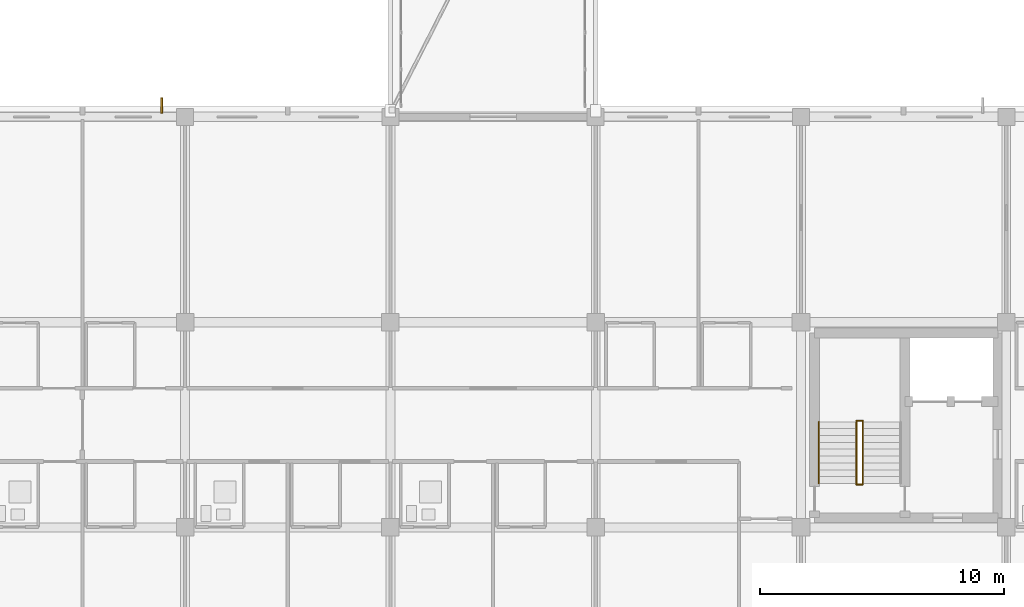
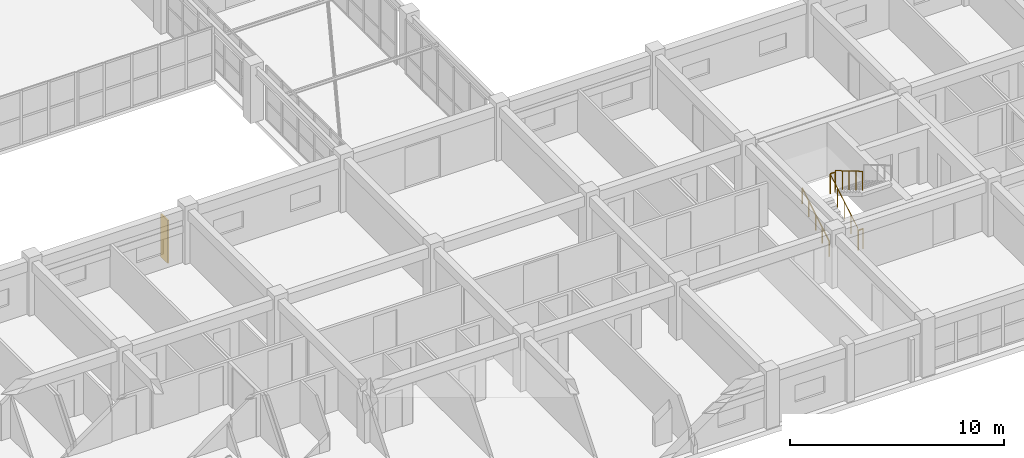
# One storey, part 139 of 148: 5 railings, 1 shading device.
"""IFC4 building model written with IfcOpenShell, lengths in metres."""

from ifc_helpers import new_model, si_unit, direction, frame, origin, origin_2d, place, context, subcontext, project, spatial, rectangle, circle, extrude, material, type_object, element, save


model = new_model("IFC4")

# Units and contexts
model_context = context("Model", 3, precision=1e-05, world=origin(), true_north=direction((0.0, 1.0)))
body_context = subcontext(model_context, "Body", "Model", "MODEL_VIEW")
ifc_project = project(units=[si_unit("LENGTHUNIT", "METRE"), si_unit("AREAUNIT", "SQUARE_METRE"), si_unit("VOLUMEUNIT", "CUBIC_METRE"), si_unit("PLANEANGLEUNIT", "RADIAN"), si_unit("MASSUNIT", "GRAM", prefix="KILO")], contexts=[model_context])

# Site, building, storey
site_placement = place(None, origin())
site = spatial("IfcSite", under=ifc_project, at=site_placement, CompositionType="ELEMENT")
building_placement = place(site_placement, origin())
building = spatial("IfcBuilding", under=site, at=building_placement, Name="Trelvath General Hospital", CompositionType="ELEMENT")
storey_placement = place(building_placement, frame((0.0, 0.0, 12.89990234375)))
storey = spatial("IfcBuildingStorey", under=building, at=storey_placement, Name="L03", CompositionType="ELEMENT", Elevation=12.89990234375)

# Railings
ifc_material_1 = material(Name="Architectural painted steel", Category="steel")
railing_type_1 = type_object("IfcRailingType", Name="Guardrail Terrace1150", PredefinedType="GUARDRAIL", material=ifc_material_1)
railing_1_placement = place(storey_placement, frame((94.669921875, 10.159912109375, 0.0)))
element("IfcRailing", 1, at=railing_1_placement, inside=storey, type_object=railing_type_1, Name="Stair Well Edge Guard C5 L03 174", PredefinedType="GUARDRAIL", context=body_context, shape_type="SweptSolid", body=[
    extrude(circle(Radius=0.02392578125, at=origin_2d()), frame((0.0, 0.0, 1.1259765625), z_axis=(1.0, 0.0, 0.0), x_axis=(0.0, 1.0, 0.0)), (0.0, 0.0, 1.0), 0.260009765625),
    extrude(circle(Radius=0.02099609375, at=origin_2d()), origin(), (0.0, 0.0, 1.0), 1.099853515625),
    extrude(circle(Radius=0.02099609375, at=origin_2d()), frame((0.260009765625, 0.0, 0.0)), (0.0, 0.0, 1.0), 1.099853515625),
])
railing_2_placement = place(storey_placement, frame((94.929931640625, 12.719970703125, 1.815185546875)))
element("IfcRailing", 2, at=railing_2_placement, inside=storey, type_object=railing_type_1, Name="Stair Rail ST5 L03 F2 L 176", PredefinedType="GUARDRAIL", context=body_context, shape_type="SweptSolid", body=[
    extrude(circle(Radius=0.02392578125, at=origin_2d()), frame((0.0, 0.0, 1.076171875), z_axis=(0.0, -0.861560626758, 0.507654692109), x_axis=(1.0, 0.0, 0.0)), (0.0, 0.0, 1.0), 2.925048828125),
    extrude(circle(Radius=0.02099609375, at=origin_2d()), origin(), (0.0, 0.0, 1.0), 1.050048828125),
    extrude(circle(Radius=0.02099609375, at=origin_2d()), frame((0.0, -0.6298828125, 0.37109375)), (0.0, 0.0, 1.0), 1.050048828125),
    extrude(circle(Radius=0.02099609375, at=origin_2d()), frame((0.0, -1.260009765625, 0.742431640625)), (0.0, 0.0, 1.0), 1.050048828125),
    extrude(circle(Radius=0.02099609375, at=origin_2d()), frame((0.0, -1.89013671875, 1.11376953125)), (0.0, 0.0, 1.0), 1.050048828125),
    extrude(circle(Radius=0.02099609375, at=origin_2d()), frame((0.0, -2.52001953125, 1.48486328125)), (0.0, 0.0, 1.0), 1.050048828125),
])
railing_3_placement = place(storey_placement, frame((94.669921875, 10.199951171875, 0.1650390625)))
element("IfcRailing", 3, at=railing_3_placement, inside=storey, type_object=railing_type_1, Name="Stair Rail ST5 L03 F1 R 177", PredefinedType="GUARDRAIL", context=body_context, shape_type="SweptSolid", body=[
    extrude(circle(Radius=0.02392578125, at=origin_2d()), frame((0.0, 0.0, 1.076171875), z_axis=(0.0, 0.86152411907, 0.507716645641), x_axis=(-1.0, 0.0, 0.0)), (0.0, 0.0, 1.0), 2.925048828125),
    extrude(circle(Radius=0.02099609375, at=origin_2d()), origin(), (0.0, 0.0, 1.0), 1.050048828125),
    extrude(circle(Radius=0.02099609375, at=origin_2d()), frame((0.0, 0.6298828125, 0.371337890625)), (0.0, 0.0, 1.0), 1.050048828125),
    extrude(circle(Radius=0.02099609375, at=origin_2d()), frame((0.0, 1.260009765625, 0.74267578125)), (0.0, 0.0, 1.0), 1.050048828125),
    extrude(circle(Radius=0.02099609375, at=origin_2d()), frame((0.0, 1.89013671875, 1.11376953125)), (0.0, 0.0, 1.0), 1.050048828125),
    extrude(circle(Radius=0.02099609375, at=origin_2d()), frame((0.0, 2.52001953125, 1.485107421875)), (0.0, 0.0, 1.0), 1.050048828125),
])
railing_4_placement = place(storey_placement, frame((94.669921875, 12.760009765625, 1.650146484375)))
element("IfcRailing", 4, at=railing_4_placement, inside=storey, type_object=railing_type_1, Name="Half-Landing Well Guard ST5 L03 179", PredefinedType="GUARDRAIL", context=body_context, shape_type="SweptSolid", body=[
    extrude(circle(Radius=0.02392578125, at=origin_2d()), frame((0.0, 0.0, 1.1259765625), z_axis=(1.0, 0.0, 0.0), x_axis=(0.0, 1.0, 0.0)), (0.0, 0.0, 1.0), 0.260009765625),
    extrude(circle(Radius=0.02099609375, at=origin_2d()), origin(), (0.0, 0.0, 1.0), 1.099853515625),
    extrude(circle(Radius=0.02099609375, at=origin_2d()), frame((0.260009765625, 0.0, 0.0)), (0.0, 0.0, 1.0), 1.099853515625),
])
ifc_material_2 = material(Name="Brushed stainless steel", Category="steel")
railing_type_2 = type_object("IfcRailingType", Name="Handrail Stair900", PredefinedType="HANDRAIL", material=ifc_material_2)
railing_5_placement = place(storey_placement, frame((93.1298828125, 10.199951171875, 0.1650390625)))
element("IfcRailing", 5, at=railing_5_placement, inside=storey, type_object=railing_type_2, Name="Stair Rail ST5 L03 F1 L 175", PredefinedType="HANDRAIL", context=body_context, shape_type="SweptSolid", body=[
    extrude(circle(Radius=0.02392578125, at=origin_2d()), frame((0.0, 0.0, 0.8759765625), z_axis=(0.0, 0.86152411907, 0.507716645641), x_axis=(-1.0, 0.0, 0.0)), (0.0, 0.0, 1.0), 2.925048828125),
    extrude(circle(Radius=0.02099609375, at=origin_2d()), origin(), (0.0, 0.0, 1.0), 0.849853515625),
    extrude(circle(Radius=0.02099609375, at=origin_2d()), frame((0.0, 0.6298828125, 0.371337890625)), (0.0, 0.0, 1.0), 0.849853515625),
    extrude(circle(Radius=0.02099609375, at=origin_2d()), frame((0.0, 1.260009765625, 0.74267578125)), (0.0, 0.0, 1.0), 0.849853515625),
    extrude(circle(Radius=0.02099609375, at=origin_2d()), frame((0.0, 1.89013671875, 1.11376953125)), (0.0, 0.0, 1.0), 0.849853515625),
    extrude(circle(Radius=0.02099609375, at=origin_2d()), frame((0.0, 2.52001953125, 1.485107421875)), (0.0, 0.0, 1.0), 0.849853515625),
])

# Shading device
ifc_material_3 = material(Name="Anodised aluminium", Category="aluminium")
shading_device_type = type_object("IfcShadingDeviceType", Name="SolarScreen PerforatedAlu", PredefinedType="JALOUSIE", material=ifc_material_3)
shading_device_placement = place(storey_placement, frame((66.23828125, 25.6650390625, 0.000244140625), z_axis=(0.0, 0.0, 1.0), x_axis=(0.0, 1.0, 0.0)))
element("IfcShadingDevice", 6, at=shading_device_placement, inside=storey, type_object=shading_device_type, Name="Solar Brise-Soleil Screen L03-62", PredefinedType="JALOUSIE", context=body_context, shape_type="SweptSolid", body=[
    extrude(rectangle(XDim=0.64990234375, YDim=0.080078125, at=origin_2d()), origin(), (0.0, 0.0, 1.0), 2.43994140625),
])

save(model, "model.ifc")
